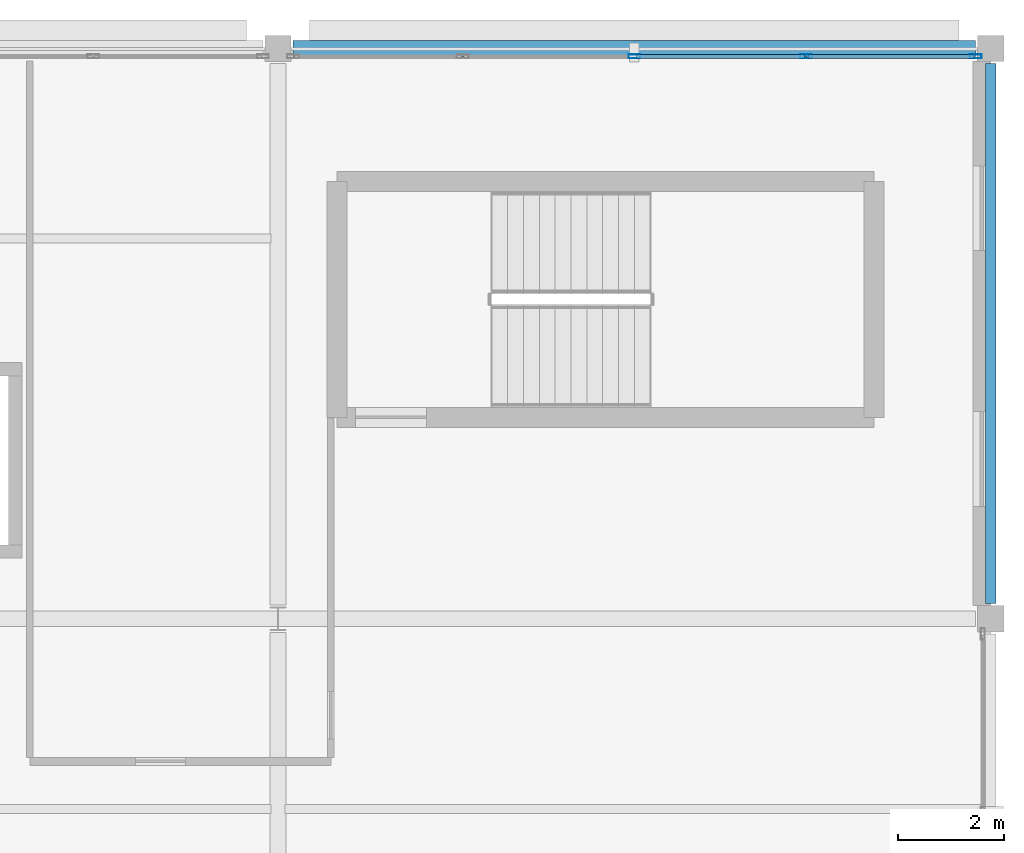
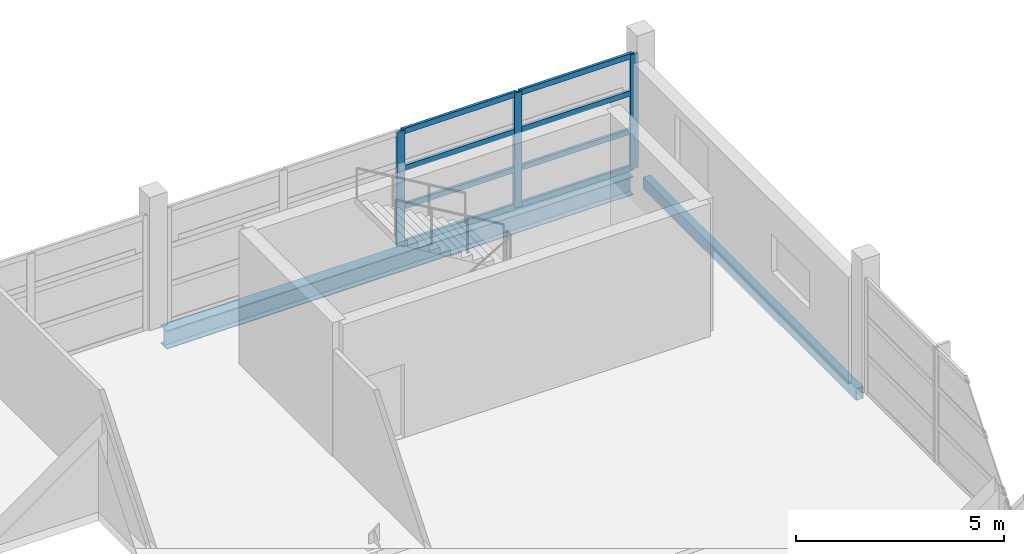
# One storey, part 59 of 110: 11 members, 2 beams, 1 element without a shape of its own.
"""IFC4 building model written with IfcOpenShell, lengths in metres."""

from ifc_helpers import new_model, si_unit, direction, frame, origin, origin_2d, place, context, subcontext, project, spatial, hollow_rectangle, i_section, extrude, material, layer, layer_set, material_profile, profile_set, type_object, element, aggregate, save


model = new_model("IFC4")

# Units and contexts
model_context = context("Model", 3, precision=1e-05, world=origin(), true_north=direction((0.0, 1.0)))
body_context = subcontext(model_context, "Body", "Model", "MODEL_VIEW")
ifc_project = project(units=[si_unit("LENGTHUNIT", "METRE"), si_unit("AREAUNIT", "SQUARE_METRE"), si_unit("VOLUMEUNIT", "CUBIC_METRE"), si_unit("PLANEANGLEUNIT", "RADIAN"), si_unit("MASSUNIT", "GRAM", prefix="KILO")], contexts=[model_context])

# Site, building, storey
site_placement = place(None, origin())
site = spatial("IfcSite", under=ifc_project, at=site_placement, CompositionType="ELEMENT")
building_placement = place(site_placement, origin())
building = spatial("IfcBuilding", under=site, at=building_placement, Name="Tamarisk Ironworks Central Station", CompositionType="ELEMENT")
storey_placement = place(building_placement, frame((0.0, 0.0, 17.39990234375)))
storey = spatial("IfcBuildingStorey", under=building, at=storey_placement, Name="L03", CompositionType="ELEMENT", Elevation=17.39990234375)

# Beams
ifc_material_1 = material(Name="Structural steel S355J2", Category="steel")
ifc_material_profile_1 = material_profile(ifc_material_1, i_section(OverallWidth=0.300048828125, OverallDepth=0.5400390625, WebThickness=0.012451171875, FlangeThickness=0.02392578125, at=origin_2d()), Name="HEA 550")
ifc_profile_set_1 = profile_set([ifc_material_profile_1], Name="Structural steel S355J2")
beam_type_1 = type_object("IfcBeamType", Name="BM-G04", PredefinedType="BEAM", material=ifc_profile_set_1)
beam_1_placement = place(storey_placement, frame((166.7880859375, 122.39990234375, -0.52001953125), z_axis=(1.0, 0.0, 0.0), x_axis=(0.0, 1.0, 0.0)))
element("IfcBeam", 1, at=beam_1_placement, inside=storey, type_object=beam_type_1, Name="L03 primary girder X-0666", PredefinedType="BEAM", context=body_context, shape_type="SweptSolid", body=[
    extrude(i_section(OverallWidth=0.300048828125, OverallDepth=0.5400390625, WebThickness=0.012451171875, FlangeThickness=0.02392578125, at=origin_2d()), origin(), (0.0, 0.0, 1.0), 12.923828125),
])
ifc_material_profile_2 = material_profile(ifc_material_1, hollow_rectangle(XDim=0.199951171875, YDim=0.35009765625, WallThickness=0.012451171875, at=origin_2d()), Name="RHS 350x200x12.5")
ifc_profile_set_2 = profile_set([ifc_material_profile_2], Name="Structural steel S355J2")
beam_type_2 = type_object("IfcBeamType", Name="BM-SP01", PredefinedType="SPANDREL", material=ifc_profile_set_2)
beam_2_placement = place(storey_placement, frame((180.0, 111.887939453125, -0.4248046875), z_axis=(0.0, 1.0, 0.0), x_axis=(-1.0, 0.0, 0.0)))
element("IfcBeam", 2, at=beam_2_placement, inside=storey, type_object=beam_type_2, Name="L03 primary girder Y-0705", PredefinedType="SPANDREL", context=body_context, shape_type="SweptSolid", body=[
    extrude(hollow_rectangle(XDim=0.199951171875, YDim=0.35009765625, WallThickness=0.012451171875, at=origin_2d()), origin(), (0.0, 0.0, 1.0), 10.22412109375),
])

# Curtain wall, members
ifc_material_2 = material(Name="Anodized aluminium alloy 6063-T6", Category="aluminium")
ifc_layer = layer(ifc_material_2, 0.179931640625)
ifc_layer_set = layer_set([ifc_layer], Name="Anodized aluminium alloy 6063-T6")
curtain_wall_type = type_object("IfcCurtainWallType", Name="CW-18", PredefinedType="USERDEFINED", material=ifc_layer_set)
curtain_wall_placement = place(storey_placement, origin())
curtain_wall = element("IfcCurtainWall", 3, at=curtain_wall_placement, inside=storey, type_object=curtain_wall_type, Name="Operations L03 north facade curtain wall 166", ObjectType="GLAZED CURTAIN WALL", PredefinedType="USERDEFINED")
ifc_material_profile_3 = material_profile(ifc_material_2, hollow_rectangle(XDim=0.074951171875, YDim=0.219970703125, WallThickness=0.00390625, at=origin_2d()), Name="ALUM 220x75")
ifc_profile_set_3 = profile_set([ifc_material_profile_3], Name="Anodized aluminium alloy 6063-T6")
member_type_1 = type_object("IfcMemberType", Name="CWM-01", PredefinedType="MULLION", material=ifc_profile_set_3)
member_1_placement = place(storey_placement, frame((173.25, 122.25, 0.0), z_axis=(0.0, 0.0, 1.0), x_axis=(0.0, 1.0, 0.0)))
member_1 = element("IfcMember", 4, at=member_1_placement, type_object=member_type_1, Name="CW18 mullion 3", PredefinedType="MULLION", context=body_context, shape_type="SweptSolid", body=[
    extrude(hollow_rectangle(XDim=0.074951171875, YDim=0.219970703125, WallThickness=0.00390625, at=origin_2d()), origin(), (0.0, 0.0, 1.0), 3.360107421875),
])
member_2_placement = place(storey_placement, frame((176.5009765625, 122.25, 0.0), z_axis=(0.0, 0.0, 1.0), x_axis=(0.0, 1.0, 0.0)))
member_2 = element("IfcMember", 5, at=member_2_placement, type_object=member_type_1, Name="CW18 mullion 4", PredefinedType="MULLION", context=body_context, shape_type="SweptSolid", body=[
    extrude(hollow_rectangle(XDim=0.074951171875, YDim=0.219970703125, WallThickness=0.00390625, at=origin_2d()), origin(), (0.0, 0.0, 1.0), 3.360107421875),
])
member_3_placement = place(storey_placement, frame((179.714599609375, 122.25, 0.0), z_axis=(0.0, 0.0, 1.0), x_axis=(0.0, 1.0, 0.0)))
member_3 = element("IfcMember", 6, at=member_3_placement, type_object=member_type_1, Name="CW18 mullion 5", PredefinedType="MULLION", context=body_context, shape_type="SweptSolid", body=[
    extrude(hollow_rectangle(XDim=0.074951171875, YDim=0.219970703125, WallThickness=0.00390625, at=origin_2d()), origin(), (0.0, 0.0, 1.0), 3.360107421875),
])
ifc_material_profile_4 = material_profile(ifc_material_2, hollow_rectangle(XDim=0.074951171875, YDim=0.159912109375, WallThickness=0.00390625, at=origin_2d()), Name="ALUM 160x75")
ifc_profile_set_4 = profile_set([ifc_material_profile_4], Name="Anodized aluminium alloy 6063-T6")
member_type_2 = type_object("IfcMemberType", Name="CWT-01", PredefinedType="USERDEFINED", material=ifc_profile_set_4)
member_4_placement = place(storey_placement, frame((173.283447265625, 122.25, 0.03759765625), z_axis=(1.0, 0.0, 0.0), x_axis=(0.0, 1.0, 0.0)))
member_4 = element("IfcMember", 7, at=member_4_placement, type_object=member_type_2, Name="CW18 transom 3.1", ObjectType="TRANSOM", PredefinedType="USERDEFINED", context=body_context, shape_type="SweptSolid", body=[
    extrude(hollow_rectangle(XDim=0.074951171875, YDim=0.159912109375, WallThickness=0.00390625, at=origin_2d()), origin(), (0.0, 0.0, 1.0), 3.18408203125),
])
member_5_placement = place(storey_placement, frame((173.283447265625, 122.25, 1.1201171875), z_axis=(1.0, 0.0, 0.0), x_axis=(0.0, 1.0, 0.0)))
member_5 = element("IfcMember", 8, at=member_5_placement, type_object=member_type_2, Name="CW18 transom 3.2", ObjectType="TRANSOM", PredefinedType="USERDEFINED", context=body_context, shape_type="SweptSolid", body=[
    extrude(hollow_rectangle(XDim=0.074951171875, YDim=0.159912109375, WallThickness=0.00390625, at=origin_2d()), origin(), (0.0, 0.0, 1.0), 3.18408203125),
])
member_6_placement = place(storey_placement, frame((173.283447265625, 122.25, 2.239990234375), z_axis=(1.0, 0.0, 0.0), x_axis=(0.0, 1.0, 0.0)))
member_6 = element("IfcMember", 9, at=member_6_placement, type_object=member_type_2, Name="CW18 transom 3.3", ObjectType="TRANSOM", PredefinedType="USERDEFINED", context=body_context, shape_type="SweptSolid", body=[
    extrude(hollow_rectangle(XDim=0.074951171875, YDim=0.159912109375, WallThickness=0.00390625, at=origin_2d()), origin(), (0.0, 0.0, 1.0), 3.18408203125),
])
member_7_placement = place(storey_placement, frame((173.283447265625, 122.25, 3.322509765625), z_axis=(1.0, 0.0, 0.0), x_axis=(0.0, 1.0, 0.0)))
member_7 = element("IfcMember", 10, at=member_7_placement, type_object=member_type_2, Name="CW18 transom 3.4", ObjectType="TRANSOM", PredefinedType="USERDEFINED", context=body_context, shape_type="SweptSolid", body=[
    extrude(hollow_rectangle(XDim=0.074951171875, YDim=0.159912109375, WallThickness=0.00390625, at=origin_2d()), origin(), (0.0, 0.0, 1.0), 3.18408203125),
])
member_8_placement = place(storey_placement, frame((176.534423828125, 122.25, 0.03759765625), z_axis=(1.0, 0.0, 0.0), x_axis=(0.0, 1.0, 0.0)))
member_8 = element("IfcMember", 11, at=member_8_placement, type_object=member_type_2, Name="CW18 transom 4.1", ObjectType="TRANSOM", PredefinedType="USERDEFINED", context=body_context, shape_type="SweptSolid", body=[
    extrude(hollow_rectangle(XDim=0.074951171875, YDim=0.159912109375, WallThickness=0.00390625, at=origin_2d()), origin(), (0.0, 0.0, 1.0), 3.146484375),
])
member_9_placement = place(storey_placement, frame((176.534423828125, 122.25, 1.1201171875), z_axis=(1.0, 0.0, 0.0), x_axis=(0.0, 1.0, 0.0)))
member_9 = element("IfcMember", 12, at=member_9_placement, type_object=member_type_2, Name="CW18 transom 4.2", ObjectType="TRANSOM", PredefinedType="USERDEFINED", context=body_context, shape_type="SweptSolid", body=[
    extrude(hollow_rectangle(XDim=0.074951171875, YDim=0.159912109375, WallThickness=0.00390625, at=origin_2d()), origin(), (0.0, 0.0, 1.0), 3.146484375),
])
member_10_placement = place(storey_placement, frame((176.534423828125, 122.25, 2.239990234375), z_axis=(1.0, 0.0, 0.0), x_axis=(0.0, 1.0, 0.0)))
member_10 = element("IfcMember", 13, at=member_10_placement, type_object=member_type_2, Name="CW18 transom 4.3", ObjectType="TRANSOM", PredefinedType="USERDEFINED", context=body_context, shape_type="SweptSolid", body=[
    extrude(hollow_rectangle(XDim=0.074951171875, YDim=0.159912109375, WallThickness=0.00390625, at=origin_2d()), origin(), (0.0, 0.0, 1.0), 3.146484375),
])
member_11_placement = place(storey_placement, frame((176.534423828125, 122.25, 3.322509765625), z_axis=(1.0, 0.0, 0.0), x_axis=(0.0, 1.0, 0.0)))
member_11 = element("IfcMember", 14, at=member_11_placement, type_object=member_type_2, Name="CW18 transom 4.4", ObjectType="TRANSOM", PredefinedType="USERDEFINED", context=body_context, shape_type="SweptSolid", body=[
    extrude(hollow_rectangle(XDim=0.074951171875, YDim=0.159912109375, WallThickness=0.00390625, at=origin_2d()), origin(), (0.0, 0.0, 1.0), 3.146484375),
])
aggregate(curtain_wall, [member_1, member_2, member_3, member_4, member_5, member_6, member_7, member_8, member_9, member_10, member_11])

save(model, "model.ifc")
